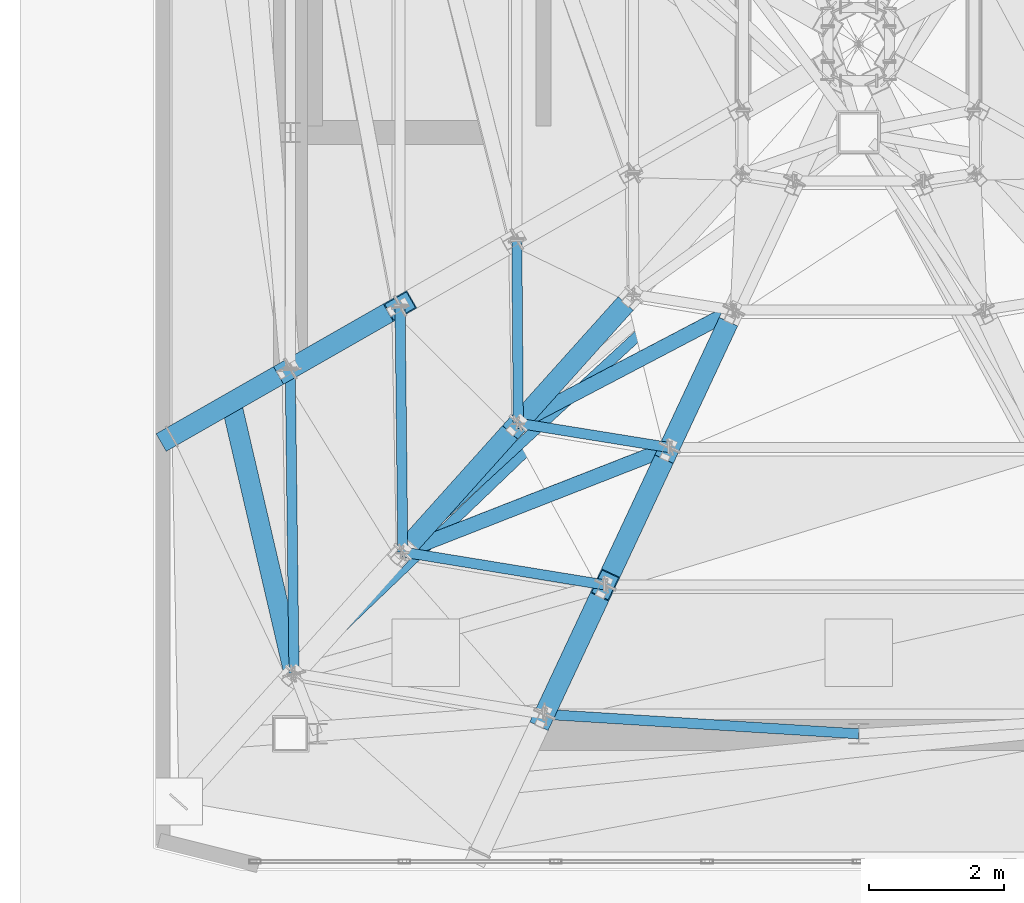
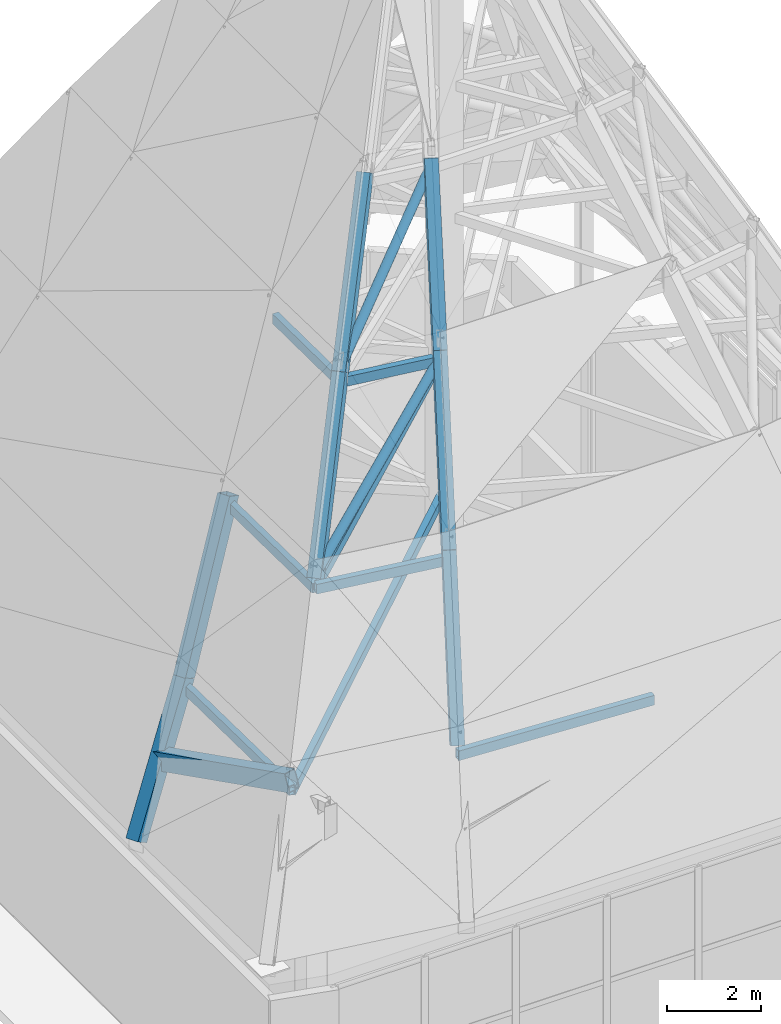
# One storey, part 3 of 30: 18 members.
"""IFC4 building model written with IfcOpenShell, lengths in metres."""

from ifc_helpers import new_model, si_unit, direction, frame, origin, origin_2d, place, context, subcontext, project, spatial, hollow_rectangle, hollow_circle, extrude, material, material_profile, profile_set, type_object, element, save


model = new_model("IFC4")

# Units and contexts
model_context = context("Model", 3, precision=1e-05, world=origin(), true_north=direction((0.0, 1.0)))
body_context = subcontext(model_context, "Body", "Model", "MODEL_VIEW")
ifc_project = project(units=[si_unit("LENGTHUNIT", "METRE"), si_unit("AREAUNIT", "SQUARE_METRE"), si_unit("VOLUMEUNIT", "CUBIC_METRE"), si_unit("PLANEANGLEUNIT", "RADIAN"), si_unit("MASSUNIT", "GRAM", prefix="KILO")], contexts=[model_context])

# Site, building, storey
site_placement = place(None, origin())
site = spatial("IfcSite", under=ifc_project, at=site_placement, CompositionType="ELEMENT")
building_placement = place(site_placement, origin())
building = spatial("IfcBuilding", under=site, at=building_placement, Name="Haolan Belvedere Tower", CompositionType="ELEMENT")
storey_placement = place(building_placement, frame((0.0, 0.0, 333.0)))
storey = spatial("IfcBuildingStorey", under=building, at=storey_placement, Name="L83", CompositionType="ELEMENT", Elevation=333.0)

# Members
ifc_material = material(Name="Steel Q355B", Category="steel")
ifc_material_profile_1 = material_profile(ifc_material, hollow_rectangle(XDim=0.300048828125, YDim=0.449951171875, WallThickness=0.01611328125, at=origin_2d()), Name="Steel Q355B")
ifc_profile_set_1 = profile_set([ifc_material_profile_1], Name="Steel Q355B")
member_type_1 = type_object("IfcMemberType", Name="MEM-BOX450x300x16", PredefinedType="RAFTER", material=ifc_profile_set_1)
member_1_placement = place(storey_placement, frame((29.122802734375, 31.298583984375, 6.302001953125), z_axis=(0.211956904095, -0.913465164493, 0.347355241884), x_axis=(0.974120099995, 0.226031039428, 0.0)))
element("IfcMember", 1, at=member_1_placement, inside=storey, type_object=member_type_1, Name="Crown frame Tier-1 diagonal hip rafter 12", PredefinedType="RAFTER", context=body_context, shape_type="SweptSolid", body=[
    extrude(hollow_rectangle(XDim=0.300048828125, YDim=0.449951171875, WallThickness=0.01611328125, at=origin_2d()), origin(), (0.0, 0.0, 1.0), 4.381591796875),
])
member_2_placement = place(storey_placement, frame((28.25, 30.800048828125, 4.780029296875), z_axis=(0.478510978204, 0.273453966006, 0.834416066608), x_axis=(-0.496165092397, 0.868228196436, 0.0)))
element("IfcMember", 2, at=member_2_placement, inside=storey, type_object=member_type_1, Name="Crown frame sloped hip rafter T1-12", PredefinedType="RAFTER", context=body_context, shape_type="SweptSolid", body=[
    extrude(hollow_rectangle(XDim=0.300048828125, YDim=0.449951171875, WallThickness=0.01611328125, at=origin_2d()), origin(), (0.0, 0.0, 1.0), 3.64794921875),
])
member_3_placement = place(storey_placement, frame((33.75537109375, 26.688720703125, 7.823974609375), z_axis=(0.21439596678, 0.457533845183, 0.86295837092), x_axis=(-0.905514468929, 0.424315385721, 0.0)))
element("IfcMember", 3, at=member_3_placement, inside=storey, type_object=member_type_1, Name="Crown frame sloped hip rafter T2-02", PredefinedType="RAFTER", context=body_context, shape_type="SweptSolid", body=[
    extrude(hollow_rectangle(XDim=0.300048828125, YDim=0.449951171875, WallThickness=0.01611328125, at=origin_2d()), origin(), (0.0, 0.0, 1.0), 4.17919921875),
])
member_4_placement = place(storey_placement, frame((29.99560546875, 31.797607421875, 7.823974609375), z_axis=(0.399745836216, 0.228417607255, 0.887709785416), x_axis=(-0.496124881772, 0.868251174308, 0.0)))
element("IfcMember", 4, at=member_4_placement, inside=storey, type_object=member_type_1, Name="Crown frame sloped hip rafter T2-12", PredefinedType="RAFTER", context=body_context, shape_type="SweptSolid", body=[
    extrude(hollow_rectangle(XDim=0.300048828125, YDim=0.449951171875, WallThickness=0.01611328125, at=origin_2d()), origin(), (0.0, 0.0, 1.0), 4.062744140625),
])
member_5_placement = place(storey_placement, frame((31.659423828125, 29.088134765625, 11.430419921875), z_axis=(0.386029796319, 0.430215258858, 0.816024403679), x_axis=(-0.744294586256, 0.667851457189, 0.0)))
element("IfcMember", 5, at=member_5_placement, inside=storey, type_object=member_type_1, Name="Crown frame sloped hip rafter T3-01", PredefinedType="RAFTER", context=body_context, shape_type="SweptSolid", body=[
    extrude(hollow_rectangle(XDim=0.300048828125, YDim=0.449951171875, WallThickness=0.01611328125, at=origin_2d()), origin(), (0.0, 0.0, 1.0), 4.42578125),
])
member_6_placement = place(storey_placement, frame((34.6513671875, 28.600830078125, 11.430419921875), z_axis=(0.22394499879, 0.477806752548, 0.849440606951), x_axis=(-0.905478538001, 0.424392056027, 0.0)))
element("IfcMember", 6, at=member_6_placement, inside=storey, type_object=member_type_1, Name="Crown frame sloped hip rafter T3-02", PredefinedType="RAFTER", context=body_context, shape_type="SweptSolid", body=[
    extrude(hollow_rectangle(XDim=0.300048828125, YDim=0.449951171875, WallThickness=0.01611328125, at=origin_2d()), origin(), (0.0, 0.0, 1.0), 4.251708984375),
])
member_7_placement = place(storey_placement, frame((33.367919921875, 30.9921875, 15.0419921875), z_axis=(0.399889200029, 0.445661027583, 0.800921267163), x_axis=(-0.744294586256, 0.667851457189, 0.0)))
element("IfcMember", 7, at=member_7_placement, inside=storey, type_object=member_type_1, Name="Crown frame sloped hip rafter T4-01", PredefinedType="RAFTER", context=body_context, shape_type="SweptSolid", body=[
    extrude(hollow_rectangle(XDim=0.300048828125, YDim=0.449951171875, WallThickness=0.01611328125, at=origin_2d()), origin(), (0.0, 0.0, 1.0), 4.2724609375),
])
member_8_placement = place(storey_placement, frame((35.603515625, 30.63232421875, 15.0419921875), z_axis=(0.232640586583, 0.496486873803, 0.836288910374), x_axis=(-0.905520352072, 0.424302830516, 0.0)))
element("IfcMember", 8, at=member_8_placement, inside=storey, type_object=member_type_1, Name="Crown frame sloped hip rafter T4-02", PredefinedType="RAFTER", context=body_context, shape_type="SweptSolid", body=[
    extrude(hollow_rectangle(XDim=0.300048828125, YDim=0.449951171875, WallThickness=0.01611328125, at=origin_2d()), origin(), (0.0, 0.0, 1.0), 4.091796875),
])
ifc_material_profile_2 = material_profile(ifc_material, hollow_circle(Radius=0.109619140625, WallThickness=0.010009765625, at=origin_2d()), Name="Steel Q355B")
ifc_profile_set_2 = profile_set([ifc_material_profile_2], Name="Steel Q355B")
member_type_2 = type_object("IfcMemberType", Name="MEM-CHS219x10", PredefinedType="STRUT", material=ifc_profile_set_2)
member_9_placement = place(storey_placement, frame((31.659423828125, 29.088134765625, 11.530517578125), z_axis=(0.733582130111, 0.287211821291, 0.615927453595), x_axis=(-0.364573207246, 0.931174729338, 0.0)))
element("IfcMember", 9, at=member_9_placement, inside=storey, type_object=member_type_2, Name="Crown frame wind brace strut T3-01", PredefinedType="STRUT", context=body_context, shape_type="SweptSolid", body=[
    extrude(hollow_circle(Radius=0.109619140625, WallThickness=0.010009765625, at=origin_2d()), origin(), (0.0, 0.0, 1.0), 5.37646484375),
])
member_10_placement = place(storey_placement, frame((33.367919921875, 30.9921875, 15.14208984375), z_axis=(0.669012682544, 0.350852469162, 0.655228643665), x_axis=(-0.464440358896, 0.885604399847, 0.0)))
element("IfcMember", 10, at=member_10_placement, inside=storey, type_object=member_type_2, Name="Crown frame wind brace strut T4-01", PredefinedType="STRUT", context=body_context, shape_type="SweptSolid", body=[
    extrude(hollow_circle(Radius=0.109619140625, WallThickness=0.010009765625, at=origin_2d()), origin(), (0.0, 0.0, 1.0), 4.764404296875),
])
ifc_material_profile_3 = material_profile(ifc_material, hollow_rectangle(XDim=0.14990234375, YDim=0.25, WallThickness=0.010009765625, at=origin_2d()), Name="Steel Q355B")
ifc_profile_set_3 = profile_set([ifc_material_profile_3], Name="Steel Q355B")
member_type_3 = type_object("IfcMemberType", Name="MEM-RHS250x150x10", PredefinedType="PURLIN", material=ifc_profile_set_3)
member_11_placement = place(storey_placement, frame((38.39990234375, 26.39990234375, 7.583984375), z_axis=(-0.998072126616, 0.062064724863, 0.0), x_axis=(-0.062064724863, -0.998072126616, 0.0)))
element("IfcMember", 11, at=member_11_placement, inside=storey, type_object=member_type_3, Name="Crown Tier-1 post-to-ring chord 02", PredefinedType="STRUT", context=body_context, shape_type="SweptSolid", body=[
    extrude(hollow_rectangle(XDim=0.14990234375, YDim=0.25, WallThickness=0.010009765625, at=origin_2d()), origin(), (0.0, 0.0, 1.0), 4.653564453125),
])
member_12_placement = place(storey_placement, frame((38.226806640625, 35.1240234375, 7.583984375), z_axis=(-0.722287148171, -0.691593287697, 0.0), x_axis=(0.691593287697, -0.722287148171, 0.0)))
element("IfcMember", 12, at=member_12_placement, inside=storey, type_object=member_type_3, Name="Crown frame radial tie purlin T1-01", PredefinedType="PURLIN", context=body_context, shape_type="SweptSolid", body=[
    extrude(hollow_rectangle(XDim=0.14990234375, YDim=0.25, WallThickness=0.010009765625, at=origin_2d()), origin(), (0.0, 0.0, 1.0), 11.318603515625),
])
member_13_placement = place(storey_placement, frame((38.223388671875, 35.12744140625, 11.1904296875), z_axis=(-0.735905371373, -0.677084399749, 0.0), x_axis=(0.677084399749, -0.735905371373, 0.0)))
element("IfcMember", 13, at=member_13_placement, inside=storey, type_object=member_type_3, Name="Crown frame radial tie purlin T2-01", PredefinedType="PURLIN", context=body_context, shape_type="SweptSolid", body=[
    extrude(hollow_rectangle(XDim=0.14990234375, YDim=0.25, WallThickness=0.010009765625, at=origin_2d()), origin(), (0.0, 0.0, 1.0), 8.919677734375),
])
member_14_placement = place(storey_placement, frame((29.99560546875, 31.797607421875, 7.583984375), z_axis=(0.012419044347, -0.999922880695, 0.0), x_axis=(0.999922880695, 0.012419044347, 0.0)))
element("IfcMember", 14, at=member_14_placement, inside=storey, type_object=member_type_3, Name="Crown frame horizontal ring purlin T1-12", PredefinedType="PURLIN", context=body_context, shape_type="SweptSolid", body=[
    extrude(hollow_rectangle(XDim=0.14990234375, YDim=0.25, WallThickness=0.010009765625, at=origin_2d()), origin(), (0.0, 0.0, 1.0), 4.501708984375),
])
member_15_placement = place(storey_placement, frame((31.659423828125, 29.088134765625, 11.1904296875), z_axis=(0.986994494436, -0.160754060456, 0.0), x_axis=(0.160754060456, 0.986994494436, 0.0)))
element("IfcMember", 15, at=member_15_placement, inside=storey, type_object=member_type_3, Name="Crown frame horizontal ring purlin T2-01", PredefinedType="PURLIN", context=body_context, shape_type="SweptSolid", body=[
    extrude(hollow_rectangle(XDim=0.14990234375, YDim=0.25, WallThickness=0.010009765625, at=origin_2d()), origin(), (0.0, 0.0, 1.0), 3.03125),
])
member_16_placement = place(storey_placement, frame((31.61962890625, 32.7255859375, 11.1904296875), z_axis=(0.010939676896, -0.999940159944, 0.0), x_axis=(0.999940159944, 0.010939676896, 0.0)))
element("IfcMember", 16, at=member_16_placement, inside=storey, type_object=member_type_3, Name="Crown frame horizontal ring purlin T2-12", PredefinedType="PURLIN", context=body_context, shape_type="SweptSolid", body=[
    extrude(hollow_rectangle(XDim=0.14990234375, YDim=0.25, WallThickness=0.010009765625, at=origin_2d()), origin(), (0.0, 0.0, 1.0), 3.6376953125),
])
member_17_placement = place(storey_placement, frame((33.367919921875, 30.9921875, 14.802001953125), z_axis=(0.987290826333, -0.158923957411, 0.0), x_axis=(0.158923957411, 0.987290826333, 0.0)))
element("IfcMember", 17, at=member_17_placement, inside=storey, type_object=member_type_3, Name="Crown frame horizontal ring purlin T3-01", PredefinedType="PURLIN", context=body_context, shape_type="SweptSolid", body=[
    extrude(hollow_rectangle(XDim=0.14990234375, YDim=0.25, WallThickness=0.010009765625, at=origin_2d()), origin(), (0.0, 0.0, 1.0), 2.264404296875),
])
member_18_placement = place(storey_placement, frame((33.34521484375, 33.71142578125, 14.802001953125), z_axis=(0.008349502445, -0.999965142297, 0.0), x_axis=(0.999965142297, 0.008349502445, 0.0)))
element("IfcMember", 18, at=member_18_placement, inside=storey, type_object=member_type_3, Name="Crown frame horizontal ring purlin T3-12", PredefinedType="PURLIN", context=body_context, shape_type="SweptSolid", body=[
    extrude(hollow_rectangle(XDim=0.14990234375, YDim=0.25, WallThickness=0.010009765625, at=origin_2d()), origin(), (0.0, 0.0, 1.0), 2.71923828125),
])

save(model, "model.ifc")
